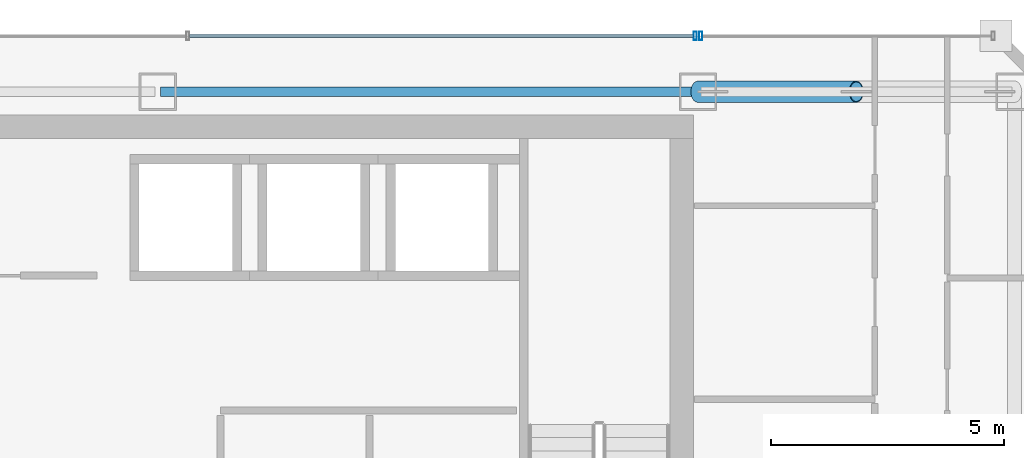
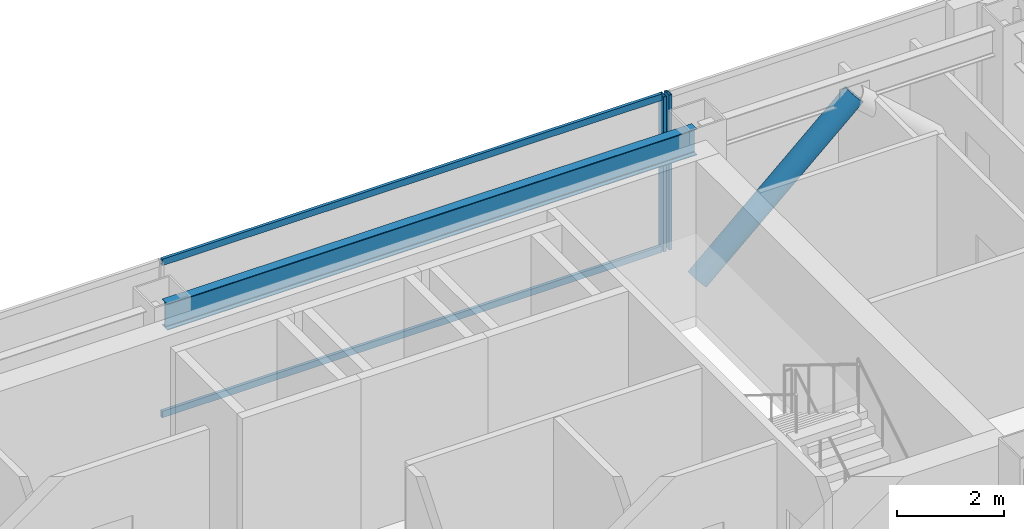
# One storey, part 26 of 35: 5 members, 1 beam, 2 elements without a shape of their own.
"""IFC4 building model written with IfcOpenShell, lengths in metres."""

from ifc_helpers import new_model, si_unit, direction, frame, origin, origin_2d, place, context, subcontext, project, spatial, hollow_rectangle, hollow_circle, i_section, extrude, material, material_profile, profile_set, type_object, element, aggregate, save


model = new_model("IFC4")

# Units and contexts
model_context = context("Model", 3, precision=1e-05, world=origin(), true_north=direction((0.0, 1.0)))
body_context = subcontext(model_context, "Body", "Model", "MODEL_VIEW")
ifc_project = project(units=[si_unit("LENGTHUNIT", "METRE"), si_unit("AREAUNIT", "SQUARE_METRE"), si_unit("VOLUMEUNIT", "CUBIC_METRE"), si_unit("PLANEANGLEUNIT", "RADIAN"), si_unit("MASSUNIT", "GRAM", prefix="KILO")], contexts=[model_context])

# Site, building, storey
site_placement = place(None, origin())
site = spatial("IfcSite", under=ifc_project, at=site_placement, CompositionType="ELEMENT")
building_placement = place(site_placement, origin())
building = spatial("IfcBuilding", under=site, at=building_placement, Name="Saevonmaru Cultural Tower", CompositionType="ELEMENT")
storey_placement = place(building_placement, frame((0.0, 0.0, 194.199951171875)))
storey = spatial("IfcBuildingStorey", under=building, at=storey_placement, Name="L44", CompositionType="ELEMENT", Elevation=194.199951171875)

# Beam
ifc_material_1 = material(Name="Steel SM355", Category="steel")
ifc_material_profile_1 = material_profile(ifc_material_1, i_section(OverallWidth=0.199951171875, OverallDepth=0.60009765625, WebThickness=0.010986328125, FlangeThickness=0.01708984375, FilletRadius=0.02197265625, at=origin_2d()), Name="H-600x200x11x17")
ifc_profile_set_1 = profile_set([ifc_material_profile_1], Name="Steel SM355")
beam_type = type_object("IfcBeamType", Name="BM-SP-H600", PredefinedType="SPANDREL", material=ifc_profile_set_1)
beam_placement = place(storey_placement, frame((34.860107421875, 54.800048828125, 3.25), z_axis=(1.0, 0.0, 0.0), x_axis=(0.0, 1.0, 0.0)))
element("IfcBeam", 1, at=beam_placement, inside=storey, type_object=beam_type, Name="L44 North Spine Girder 4", PredefinedType="SPANDREL", context=body_context, shape_type="SweptSolid", body=[
    extrude(i_section(OverallWidth=0.199951171875, OverallDepth=0.60009765625, WebThickness=0.010986328125, FlangeThickness=0.01708984375, FilletRadius=0.02197265625, at=origin_2d()), origin(), (0.0, 0.0, 1.0), 11.47998046875),
])

# Member
ifc_material_2 = material(Name="Steel SM420", Category="steel")
ifc_material_profile_2 = material_profile(ifc_material_2, hollow_circle(Radius=0.228515625, WallThickness=0.02001953125, at=origin_2d()), Name="CHS-457.2x20")
ifc_profile_set_2 = profile_set([ifc_material_profile_2], Name="Steel SM420")
member_type_1 = type_object("IfcMemberType", Name="MB-PBR-CHS457", PredefinedType="BRACE", material=ifc_profile_set_2)
member_1_placement = place(storey_placement, frame((46.39990234375, 54.800048828125, 0.02001953125), z_axis=(0.744390779303, 0.0, 0.66774423823), x_axis=(0.0, 1.0, 0.0)))
element("IfcMember", 2, at=member_1_placement, inside=storey, type_object=member_type_1, Name="L44 Perimeter Braced-Tube Diagonal EN1", PredefinedType="BRACE", context=body_context, shape_type="SweptSolid", body=[
    extrude(hollow_circle(Radius=0.228515625, WallThickness=0.02001953125, at=origin_2d()), origin(), (0.0, 0.0, 1.0), 4.567626953125),
])

# Curtain wall, member
ifc_material_3 = material(Name="Satin Bronze Anodised Aluminium", Category="aluminium")
curtain_wall_type = type_object("IfcCurtainWallType", Name="CW-TYP-B", PredefinedType="NOTDEFINED", material=ifc_material_3)
curtain_wall_1_placement = place(storey_placement, origin())
curtain_wall_1 = element("IfcCurtainWall", 3, at=curtain_wall_1_placement, inside=storey, type_object=curtain_wall_type, Name="L44 East Braced Bay Spandrel Curtain Wall E10A", PredefinedType="NOTDEFINED")
ifc_material_profile_3 = material_profile(ifc_material_3, hollow_rectangle(XDim=0.06494140625, YDim=0.179931640625, WallThickness=0.00390625, at=origin_2d()), Name="ALU-MULL-180x65x4")
ifc_profile_set_3 = profile_set([ifc_material_profile_3], Name="Satin Bronze Anodised Aluminium")
member_type_2 = type_object("IfcMemberType", Name="ML-CW-180x65", PredefinedType="MULLION", material=ifc_profile_set_3)
member_2_placement = place(storey_placement, frame((46.4599609375, 56.0, 0.0), z_axis=(0.0, 0.0, 1.0), x_axis=(-1.0, 0.0, 0.0)))
member_2 = element("IfcMember", 4, at=member_2_placement, type_object=member_type_2, Name="CW-TW-L44-E10A mullion 2", PredefinedType="MULLION", context=body_context, shape_type="SweptSolid", body=[
    extrude(hollow_rectangle(XDim=0.06494140625, YDim=0.179931640625, WallThickness=0.00390625, at=origin_2d()), origin(), (0.0, 0.0, 1.0), 3.550048828125),
])
aggregate(curtain_wall_1, [member_2])

# Curtain wall, members
curtain_wall_2_placement = place(storey_placement, origin())
curtain_wall_2 = element("IfcCurtainWall", 5, at=curtain_wall_2_placement, inside=storey, type_object=curtain_wall_type, Name="L44 North Spine Unitised Curtain Wall E10B", PredefinedType="NOTDEFINED")
member_3_placement = place(storey_placement, frame((46.340087890625, 56.0, 0.0), z_axis=(0.0, 0.0, 1.0), x_axis=(-1.0, 0.0, 0.0)))
member_3 = element("IfcMember", 6, at=member_3_placement, type_object=member_type_2, Name="CW-TW-L44-E10B mullion 1", PredefinedType="MULLION", context=body_context, shape_type="SweptSolid", body=[
    extrude(hollow_rectangle(XDim=0.06494140625, YDim=0.179931640625, WallThickness=0.00390625, at=origin_2d()), origin(), (0.0, 0.0, 1.0), 3.550048828125),
])
ifc_material_profile_4 = material_profile(ifc_material_3, hollow_rectangle(XDim=0.06494140625, YDim=0.14990234375, WallThickness=0.00390625, at=origin_2d()), Name="ALU-TRAN-150x65x4")
ifc_profile_set_4 = profile_set([ifc_material_profile_4], Name="Satin Bronze Anodised Aluminium")
member_type_3 = type_object("IfcMemberType", Name="TR-CW-150x65", PredefinedType="USERDEFINED", material=ifc_profile_set_4)
member_4_placement = place(storey_placement, frame((46.3076171875, 56.0, 0.032470703125), z_axis=(-1.0, 0.0, 0.0), x_axis=(0.0, -1.0, 0.0)))
member_4 = element("IfcMember", 7, at=member_4_placement, type_object=member_type_3, Name="CW-TW-L44-E10B transom 1.1", ObjectType="TRANSOM", PredefinedType="USERDEFINED", context=body_context, shape_type="SweptSolid", body=[
    extrude(hollow_rectangle(XDim=0.06494140625, YDim=0.14990234375, WallThickness=0.00390625, at=origin_2d()), origin(), (0.0, 0.0, 1.0), 10.828369140625),
])
member_5_placement = place(storey_placement, frame((46.3076171875, 56.0, 3.517578125), z_axis=(-1.0, 0.0, 0.0), x_axis=(0.0, -1.0, 0.0)))
member_5 = element("IfcMember", 8, at=member_5_placement, type_object=member_type_3, Name="CW-TW-L44-E10B transom 1.2", ObjectType="TRANSOM", PredefinedType="USERDEFINED", context=body_context, shape_type="SweptSolid", body=[
    extrude(hollow_rectangle(XDim=0.06494140625, YDim=0.14990234375, WallThickness=0.00390625, at=origin_2d()), origin(), (0.0, 0.0, 1.0), 10.828369140625),
])
aggregate(curtain_wall_2, [member_3, member_4, member_5])

save(model, "model.ifc")
